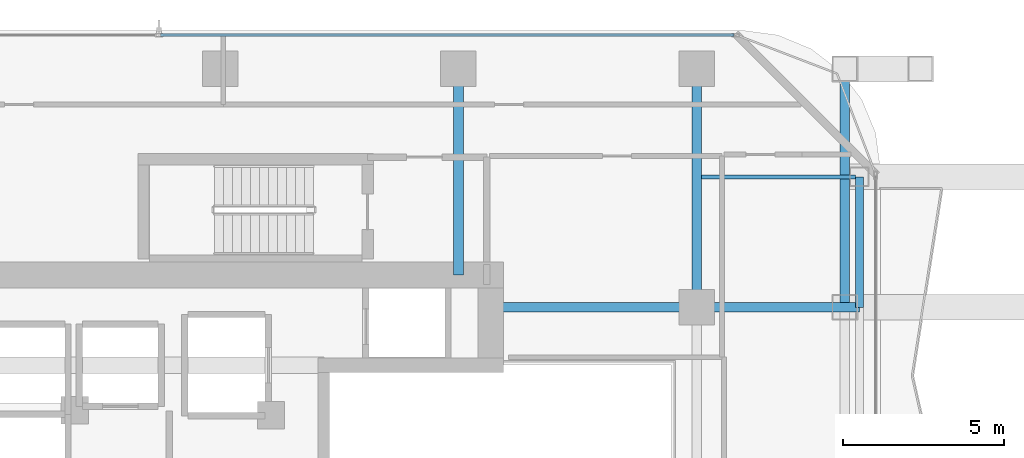
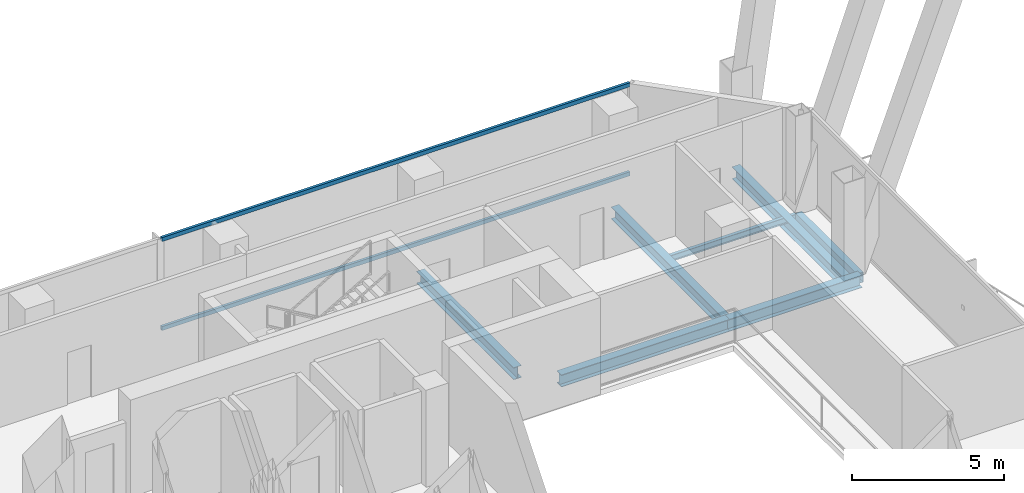
# One storey, part 17 of 27: 7 beams, 2 members, 1 element without a shape of its own.
"""IFC4 building model written with IfcOpenShell, lengths in metres."""

from ifc_helpers import new_model, si_unit, direction, frame, origin, origin_2d, place, context, subcontext, project, spatial, hollow_rectangle, i_section, extrude, material, layer, layer_set, material_profile, profile_set, type_object, element, aggregate, save


model = new_model("IFC4")

# Units and contexts
model_context = context("Model", 3, precision=1e-05, world=origin(), true_north=direction((0.0, 1.0)))
body_context = subcontext(model_context, "Body", "Model", "MODEL_VIEW")
ifc_project = project(units=[si_unit("LENGTHUNIT", "METRE"), si_unit("AREAUNIT", "SQUARE_METRE"), si_unit("VOLUMEUNIT", "CUBIC_METRE"), si_unit("PLANEANGLEUNIT", "RADIAN"), si_unit("MASSUNIT", "GRAM", prefix="KILO")], contexts=[model_context])

# Site, building, storey
site_placement = place(None, origin())
site = spatial("IfcSite", under=ifc_project, at=site_placement, CompositionType="ELEMENT")
building_placement = place(site_placement, origin())
building = spatial("IfcBuilding", under=site, at=building_placement, Name="Khorvyn Point Tower", CompositionType="ELEMENT")
storey_placement = place(building_placement, frame((0.0, 0.0, 203.10009765625)))
storey = spatial("IfcBuildingStorey", under=building, at=storey_placement, Name="L50", CompositionType="ELEMENT", Elevation=203.10009765625)

# Curtain wall, members
ifc_material_1 = material(Name="Anodised aluminium 6063-T6 and laminated Low-E glass", Category="aluminium")
ifc_layer = layer(ifc_material_1, 0.18994140625)
ifc_layer_set = layer_set([ifc_layer], Name="Stick-Built Acoustic Curtain Wall CW-SYS-03")
curtain_wall_type = type_object("IfcCurtainWallType", Name="Stick-Built Acoustic Curtain Wall CW-SYS-03", PredefinedType="NOTDEFINED", material=ifc_layer_set)
curtain_wall_placement = place(storey_placement, origin())
curtain_wall = element("IfcCurtainWall", 1, at=curtain_wall_placement, inside=storey, type_object=curtain_wall_type, Name="Curtain Wall", PredefinedType="NOTDEFINED")
ifc_material_2 = material(Name="Anodised aluminium 6063-T6", Category="aluminium")
ifc_material_profile_1 = material_profile(ifc_material_2, hollow_rectangle(XDim=0.10009765625, YDim=0.159912109375, WallThickness=0.00439453125, at=origin_2d()))
ifc_profile_set_1 = profile_set([ifc_material_profile_1], Name="Anodised aluminium 6063-T6 ALU-TRN-100x160")
member_type = type_object("IfcMemberType", Name="Anodised Aluminium 6063-T6 Transom ALU-TRN-100x160", PredefinedType="USERDEFINED", material=ifc_profile_set_1)
member_1_placement = place(storey_placement, frame((-1.85009765625, 15.85009765625, 0.0498046875), z_axis=(1.0, 0.0, 0.0), x_axis=(0.0, 1.0, 0.0)))
member_1 = element("IfcMember", 2, at=member_1_placement, type_object=member_type, Name="Transom", ObjectType="TRANSOM", PredefinedType="USERDEFINED", context=body_context, shape_type="SweptSolid", body=[
    extrude(hollow_rectangle(XDim=0.10009765625, YDim=0.159912109375, WallThickness=0.00439453125, at=origin_2d()), origin(), (0.0, 0.0, 1.0), 17.800048828125),
])
member_2_placement = place(storey_placement, frame((-1.85009765625, 15.85009765625, 3.6298828125), z_axis=(1.0, 0.0, 0.0), x_axis=(0.0, 1.0, 0.0)))
member_2 = element("IfcMember", 3, at=member_2_placement, type_object=member_type, Name="Transom", ObjectType="TRANSOM", PredefinedType="USERDEFINED", context=body_context, shape_type="SweptSolid", body=[
    extrude(hollow_rectangle(XDim=0.10009765625, YDim=0.159912109375, WallThickness=0.00439453125, at=origin_2d()), origin(), (0.0, 0.0, 1.0), 17.800048828125),
])
aggregate(curtain_wall, [member_1, member_2])

# Beams
ifc_material_3 = material(Name="Steel S355", Category="steel")
ifc_material_profile_2 = material_profile(ifc_material_3, i_section(OverallWidth=0.125, OverallDepth=0.25, WebThickness=0.006103515625, FlangeThickness=0.009033203125, at=origin_2d()))
ifc_profile_set_2 = profile_set([ifc_material_profile_2], Name="Steel S355 H250x125x6x9")
beam_type_1 = type_object("IfcBeamType", Name="Steel S355 Joist H250x125x6x9", PredefinedType="JOIST", material=ifc_profile_set_2)
beam_1_placement = place(storey_placement, frame((14.949951171875, 11.449951171875, -0.34521484375), z_axis=(1.0, 0.0, 0.0), x_axis=(0.0, 1.0, 0.0)))
element("IfcBeam", 4, at=beam_1_placement, inside=storey, type_object=beam_type_1, Name="Beam", PredefinedType="JOIST", context=body_context, shape_type="SweptSolid", body=[
    extrude(i_section(OverallWidth=0.125, OverallDepth=0.25, WebThickness=0.006103515625, FlangeThickness=0.009033203125, at=origin_2d()), origin(), (0.0, 0.0, 1.0), 4.775146484375),
])
ifc_material_profile_3 = material_profile(ifc_material_3, i_section(OverallWidth=0.300048828125, OverallDepth=0.488037109375, WebThickness=0.010986328125, FlangeThickness=0.01806640625, at=origin_2d()))
ifc_profile_set_3 = profile_set([ifc_material_profile_3], Name="Steel S355 H488x300x11x18")
beam_type_2 = type_object("IfcBeamType", Name="Steel S355 Spandrel H488x300x11x18", PredefinedType="SPANDREL", material=ifc_profile_set_3)
beam_2_placement = place(storey_placement, frame((8.39990234375, 7.39990234375, -0.464111328125), z_axis=(1.0, 0.0, 0.0), x_axis=(0.0, 1.0, 0.0)))
element("IfcBeam", 5, at=beam_2_placement, inside=storey, type_object=beam_type_2, Name="Beam", PredefinedType="SPANDREL", context=body_context, shape_type="SweptSolid", body=[
    extrude(i_section(OverallWidth=0.300048828125, OverallDepth=0.488037109375, WebThickness=0.010986328125, FlangeThickness=0.01806640625, at=origin_2d()), origin(), (0.0, 0.0, 1.0), 6.400146484375),
])
beam_3_placement = place(storey_placement, frame((14.800048828125, 7.39990234375, -0.464111328125), z_axis=(1.0, 0.0, 0.0), x_axis=(0.0, 1.0, 0.0)))
element("IfcBeam", 6, at=beam_3_placement, inside=storey, type_object=beam_type_2, Name="Beam", PredefinedType="SPANDREL", context=body_context, shape_type="SweptSolid", body=[
    extrude(i_section(OverallWidth=0.300048828125, OverallDepth=0.488037109375, WebThickness=0.010986328125, FlangeThickness=0.01806640625, at=origin_2d()), origin(), (0.0, 0.0, 1.0), 5.050048828125),
])
beam_4_placement = place(storey_placement, frame((14.800048828125, 7.39990234375, -0.464111328125), z_axis=(0.0, 1.0, 0.0), x_axis=(-1.0, 0.0, 0.0)))
element("IfcBeam", 7, at=beam_4_placement, inside=storey, type_object=beam_type_2, Name="Beam", PredefinedType="SPANDREL", context=body_context, shape_type="SweptSolid", body=[
    extrude(i_section(OverallWidth=0.300048828125, OverallDepth=0.488037109375, WebThickness=0.010986328125, FlangeThickness=0.01806640625, at=origin_2d()), origin(), (0.0, 0.0, 1.0), 7.400146484375),
])
beam_5_placement = place(storey_placement, frame((7.39990234375, 8.39990234375, -0.464111328125), z_axis=(0.0, 1.0, 0.0), x_axis=(-1.0, 0.0, 0.0)))
element("IfcBeam", 8, at=beam_5_placement, inside=storey, type_object=beam_type_2, Name="Beam", PredefinedType="SPANDREL", context=body_context, shape_type="SweptSolid", body=[
    extrude(i_section(OverallWidth=0.300048828125, OverallDepth=0.488037109375, WebThickness=0.010986328125, FlangeThickness=0.01806640625, at=origin_2d()), origin(), (0.0, 0.0, 1.0), 6.400146484375),
])
beam_6_placement = place(storey_placement, frame((19.39990234375, 7.39990234375, -0.464111328125), z_axis=(0.0, 1.0, 0.0), x_axis=(-1.0, 0.0, 0.0)))
element("IfcBeam", 9, at=beam_6_placement, inside=storey, type_object=beam_type_2, Name="Beam", PredefinedType="SPANDREL", context=body_context, shape_type="SweptSolid", body=[
    extrude(i_section(OverallWidth=0.300048828125, OverallDepth=0.488037109375, WebThickness=0.010986328125, FlangeThickness=0.01806640625, at=origin_2d()), origin(), (0.0, 0.0, 1.0), 7.400146484375),
])
ifc_material_profile_4 = material_profile(ifc_material_3, hollow_rectangle(XDim=0.25, YDim=0.39990234375, WallThickness=0.01611328125, at=origin_2d()))
ifc_profile_set_4 = profile_set([ifc_material_profile_4], Name="Steel S355 RHS400x250x16")
beam_type_3 = type_object("IfcBeamType", Name="Steel S355 Spandrel RHS400x250x16", PredefinedType="SPANDREL", material=ifc_profile_set_4)
beam_7_placement = place(storey_placement, frame((19.85009765625, 7.39990234375, -0.420166015625), z_axis=(0.0, 1.0, 0.0), x_axis=(-1.0, 0.0, 0.0)))
element("IfcBeam", 10, at=beam_7_placement, inside=storey, type_object=beam_type_3, Name="Beam", PredefinedType="SPANDREL", context=body_context, shape_type="SweptSolid", body=[
    extrude(hollow_rectangle(XDim=0.25, YDim=0.39990234375, WallThickness=0.01611328125, at=origin_2d()), origin(), (0.0, 0.0, 1.0), 4.050048828125),
])

save(model, "model.ifc")
